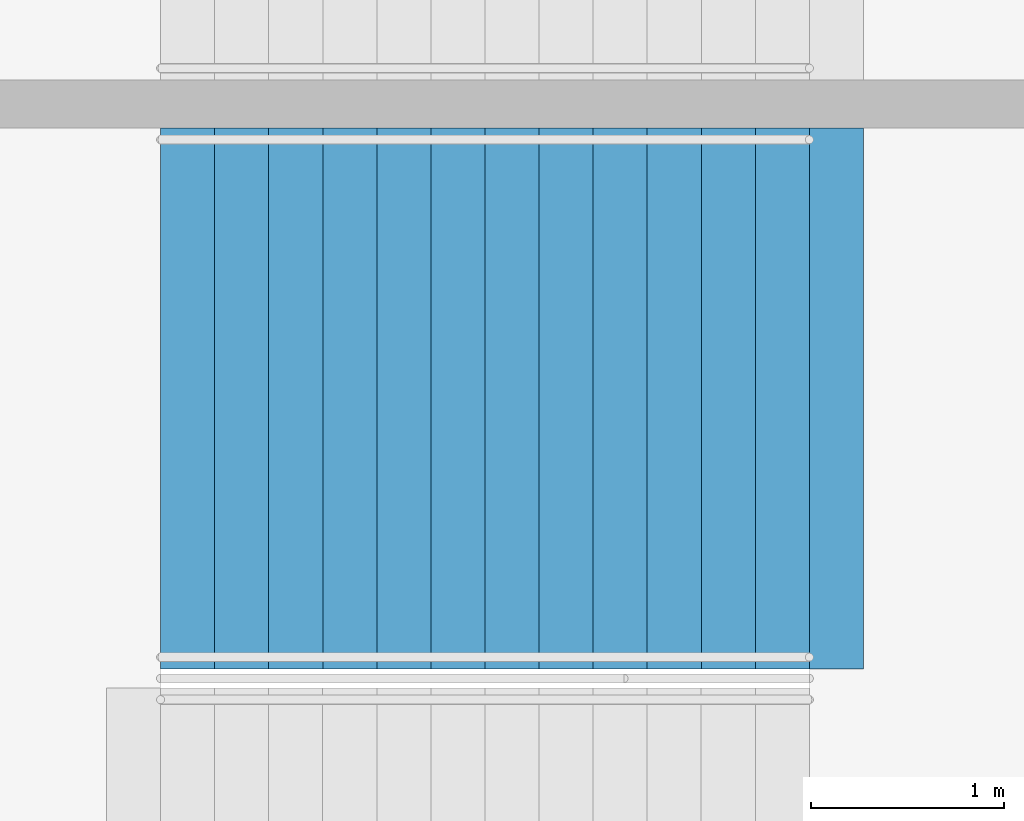
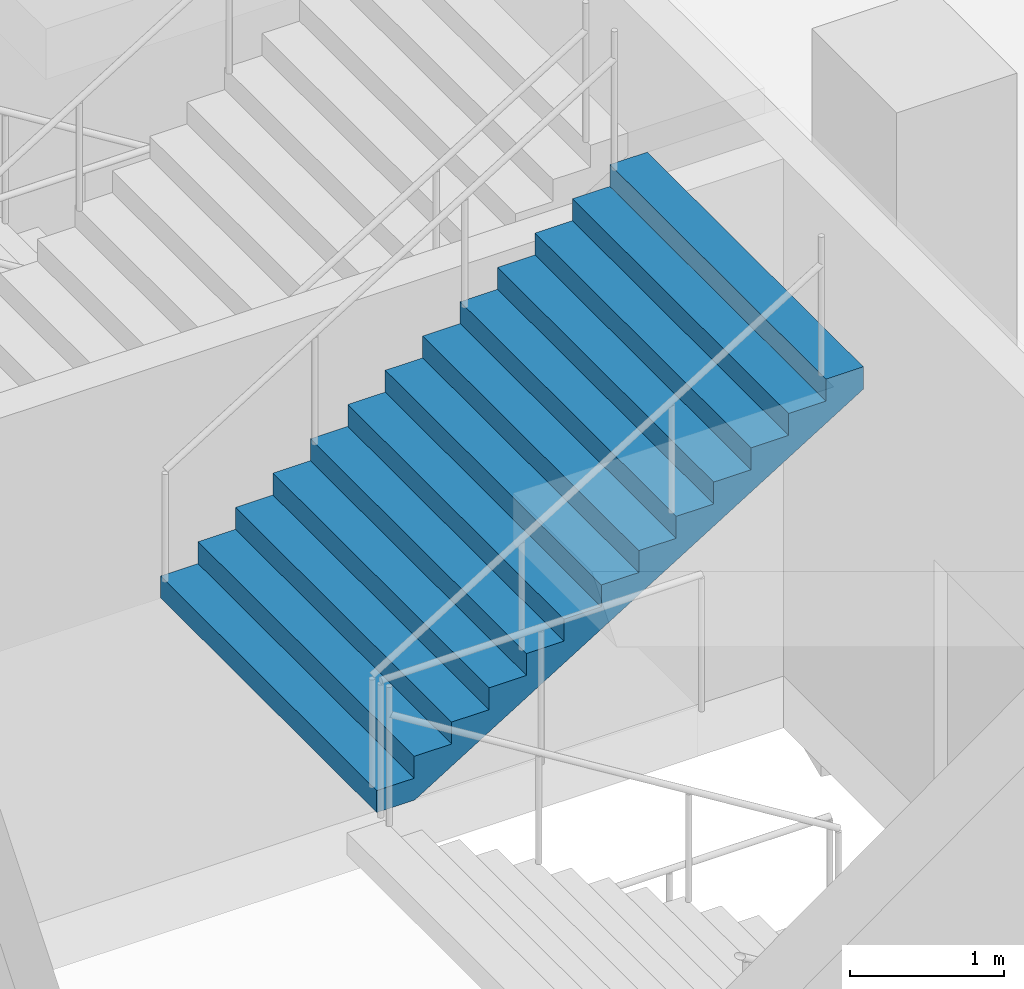
# One storey, part 155 of 199: 1 stair flight, 1 element without a shape of its own.
"""IFC4 building model written with IfcOpenShell, lengths in metres."""

from ifc_helpers import new_model, si_unit, direction, frame, origin, place, context, subcontext, project, spatial, faceted_brep, material, type_object, element, aggregate, save


model = new_model("IFC4")

# Units and contexts
model_context = context("Model", 3, precision=1e-05, world=origin(), true_north=direction((0.0, 1.0)))
body_context = subcontext(model_context, "Body", "Model", "MODEL_VIEW")
ifc_project = project(units=[si_unit("LENGTHUNIT", "METRE"), si_unit("AREAUNIT", "SQUARE_METRE"), si_unit("VOLUMEUNIT", "CUBIC_METRE"), si_unit("PLANEANGLEUNIT", "RADIAN"), si_unit("MASSUNIT", "GRAM", prefix="KILO")], contexts=[model_context])

# Site, building, storey
site_placement = place(None, origin())
site = spatial("IfcSite", under=ifc_project, at=site_placement, CompositionType="ELEMENT")
building_placement = place(site_placement, origin())
building = spatial("IfcBuilding", under=site, at=building_placement, Name="Ogive Plaza Stadium", CompositionType="ELEMENT")
storey_placement = place(building_placement, frame((0.0, 0.0, 4.5)))
storey = spatial("IfcBuildingStorey", under=building, at=storey_placement, Name="L01", CompositionType="ELEMENT", Elevation=4.5)

# Stair, stair flight
ifc_material_1 = material(Name="Concrete C40/50", Category="concrete")
stair_type = type_object("IfcStairType", Name="Exit stair", PredefinedType="STRAIGHT_RUN_STAIR", material=ifc_material_1)
stair_placement = place(storey_placement, origin())
stair = element("IfcStair", 1, at=stair_placement, inside=storey, type_object=stair_type, Name="Exit stair ST28B L01 to L02", PredefinedType="STRAIGHT_RUN_STAIR")
ifc_material_2 = material(Name="Concrete C40/50", Category="concrete")
stair_flight_type = type_object("IfcStairFlightType", Name="Exit stair flight", PredefinedType="STRAIGHT", material=ifc_material_2)
stair_flight_placement = place(storey_placement, frame((-79.7099609375, 50.97509765625, 2.25), z_axis=(0.0, 0.0, 1.0), x_axis=(1.0, 0.0, 0.0)))
stair_flight = element("IfcStairFlight", 2, at=stair_flight_placement, type_object=stair_flight_type, Name="ST28B flight 2", NumberOfRisers=13, NumberOfTreads=12, PredefinedType="STRAIGHT", RiserHeight=0.173076923, TreadLength=0.28, context=body_context, shape_type="Brep", body=[
    faceted_brep([(0.28515625, -1.39990234375, 0.0), (3.639892578125, -1.39990234375, 2.07373046875), (3.639892578125, -1.39990234375, 2.25), (3.360107421875, -1.39990234375, 2.25), (3.360107421875, -1.39990234375, 2.076904296875), (3.080078125, -1.39990234375, 2.076904296875), (3.080078125, -1.39990234375, 1.90380859375), (2.800048828125, -1.39990234375, 1.90380859375), (2.800048828125, -1.39990234375, 1.730712890625), (2.52001953125, -1.39990234375, 1.730712890625), (2.52001953125, -1.39990234375, 1.5576171875), (2.239990234375, -1.39990234375, 1.5576171875), (2.239990234375, -1.39990234375, 1.384521484375), (1.9599609375, -1.39990234375, 1.384521484375), (1.9599609375, -1.39990234375, 1.21142578125), (1.679931640625, -1.39990234375, 1.21142578125), (1.679931640625, -1.39990234375, 1.03857421875), (1.39990234375, -1.39990234375, 1.03857421875), (1.39990234375, -1.39990234375, 0.865478515625), (1.1201171875, -1.39990234375, 0.865478515625), (1.1201171875, -1.39990234375, 0.6923828125), (0.840087890625, -1.39990234375, 0.6923828125), (0.840087890625, -1.39990234375, 0.519287109375), (0.56005859375, -1.39990234375, 0.519287109375), (0.56005859375, -1.39990234375, 0.34619140625), (0.280029296875, -1.39990234375, 0.34619140625), (0.280029296875, -1.39990234375, 0.173095703125), (0.0, -1.39990234375, 0.173095703125), (0.0, -1.39990234375, 0.0), (0.0, 1.39990234375, 0.0), (0.0, 1.39990234375, 0.173095703125), (0.280029296875, 1.39990234375, 0.173095703125), (0.280029296875, 1.39990234375, 0.34619140625), (0.56005859375, 1.39990234375, 0.34619140625), (0.56005859375, 1.39990234375, 0.519287109375), (0.840087890625, 1.39990234375, 0.519287109375), (0.840087890625, 1.39990234375, 0.6923828125), (1.1201171875, 1.39990234375, 0.6923828125), (1.1201171875, 1.39990234375, 0.865478515625), (1.39990234375, 1.39990234375, 0.865478515625), (1.39990234375, 1.39990234375, 1.03857421875), (1.679931640625, 1.39990234375, 1.03857421875), (1.679931640625, 1.39990234375, 1.21142578125), (1.9599609375, 1.39990234375, 1.21142578125), (1.9599609375, 1.39990234375, 1.384521484375), (2.239990234375, 1.39990234375, 1.384521484375), (2.239990234375, 1.39990234375, 1.5576171875), (2.52001953125, 1.39990234375, 1.5576171875), (2.52001953125, 1.39990234375, 1.730712890625), (2.800048828125, 1.39990234375, 1.730712890625), (2.800048828125, 1.39990234375, 1.90380859375), (3.080078125, 1.39990234375, 1.90380859375), (3.080078125, 1.39990234375, 2.076904296875), (3.360107421875, 1.39990234375, 2.076904296875), (3.360107421875, 1.39990234375, 2.25), (3.639892578125, 1.39990234375, 2.25), (3.639892578125, 1.39990234375, 2.07373046875), (0.28515625, 1.39990234375, 0.0), (0.28515625, -1.0888671875, 0.0), (3.639892578125, -1.0888671875, 2.07373046875), (0.28515625, -0.77783203125, 0.0), (3.639892578125, -0.77783203125, 2.07373046875), (0.28515625, -0.466796875, 0.0), (3.639892578125, -0.466796875, 2.07373046875), (0.28515625, -0.155517578125, 0.0), (3.639892578125, -0.155517578125, 2.07373046875), (0.28515625, 0.155517578125, 0.0), (3.639892578125, 0.155517578125, 2.07373046875), (0.28515625, 0.466796875, 0.0), (3.639892578125, 0.466796875, 2.07373046875), (0.28515625, 0.77783203125, 0.0), (3.639892578125, 0.77783203125, 2.07373046875), (0.28515625, 1.0888671875, 0.0), (3.639892578125, 1.0888671875, 2.07373046875), (3.639892578125, -1.0888671875, 2.25), (3.639892578125, -0.77783203125, 2.25), (3.639892578125, -0.466796875, 2.25), (3.639892578125, -0.155517578125, 2.25), (3.639892578125, 0.155517578125, 2.25), (3.639892578125, 0.466796875, 2.25), (3.639892578125, 0.77783203125, 2.25), (3.639892578125, 1.0888671875, 2.25), (3.360107421875, -1.0888671875, 2.25), (3.360107421875, -0.77783203125, 2.25), (3.360107421875, -0.466796875, 2.25), (3.360107421875, -0.155517578125, 2.25), (3.360107421875, 0.155517578125, 2.25), (3.360107421875, 0.466796875, 2.25), (3.360107421875, 0.77783203125, 2.25), (3.360107421875, 1.0888671875, 2.25), (3.360107421875, -1.0888671875, 2.076904296875), (3.360107421875, -0.77783203125, 2.076904296875), (3.360107421875, -0.466796875, 2.076904296875), (3.360107421875, -0.155517578125, 2.076904296875), (3.360107421875, 0.155517578125, 2.076904296875), (3.360107421875, 0.466796875, 2.076904296875), (3.360107421875, 0.77783203125, 2.076904296875), (3.360107421875, 1.0888671875, 2.076904296875), (3.080078125, -1.0888671875, 2.076904296875), (3.080078125, -0.77783203125, 2.076904296875), (3.080078125, -0.466796875, 2.076904296875), (3.080078125, -0.155517578125, 2.076904296875), (3.080078125, 0.155517578125, 2.076904296875), (3.080078125, 0.466796875, 2.076904296875), (3.080078125, 0.77783203125, 2.076904296875), (3.080078125, 1.0888671875, 2.076904296875), (3.080078125, -1.0888671875, 1.90380859375), (3.080078125, -0.77783203125, 1.90380859375), (3.080078125, -0.466796875, 1.90380859375), (3.080078125, -0.155517578125, 1.90380859375), (3.080078125, 0.155517578125, 1.90380859375), (3.080078125, 0.466796875, 1.90380859375), (3.080078125, 0.77783203125, 1.90380859375), (3.080078125, 1.0888671875, 1.90380859375), (2.800048828125, -1.0888671875, 1.90380859375), (2.800048828125, -0.77783203125, 1.90380859375), (2.800048828125, -0.466796875, 1.90380859375), (2.800048828125, -0.155517578125, 1.90380859375), (2.800048828125, 0.155517578125, 1.90380859375), (2.800048828125, 0.466796875, 1.90380859375), (2.800048828125, 0.77783203125, 1.90380859375), (2.800048828125, 1.0888671875, 1.90380859375), (2.800048828125, -1.0888671875, 1.730712890625), (2.800048828125, -0.77783203125, 1.730712890625), (2.800048828125, -0.466796875, 1.730712890625), (2.800048828125, -0.155517578125, 1.730712890625), (2.800048828125, 0.155517578125, 1.730712890625), (2.800048828125, 0.466796875, 1.730712890625), (2.800048828125, 0.77783203125, 1.730712890625), (2.800048828125, 1.0888671875, 1.730712890625), (2.52001953125, -1.0888671875, 1.730712890625), (2.52001953125, -0.77783203125, 1.730712890625), (2.52001953125, -0.466796875, 1.730712890625), (2.52001953125, -0.155517578125, 1.730712890625), (2.52001953125, 0.155517578125, 1.730712890625), (2.52001953125, 0.466796875, 1.730712890625), (2.52001953125, 0.77783203125, 1.730712890625), (2.52001953125, 1.0888671875, 1.730712890625), (2.52001953125, -1.0888671875, 1.5576171875), (2.52001953125, -0.77783203125, 1.5576171875), (2.52001953125, -0.466796875, 1.5576171875), (2.52001953125, -0.155517578125, 1.5576171875), (2.52001953125, 0.155517578125, 1.5576171875), (2.52001953125, 0.466796875, 1.5576171875), (2.52001953125, 0.77783203125, 1.5576171875), (2.52001953125, 1.0888671875, 1.5576171875), (2.239990234375, -1.0888671875, 1.5576171875), (2.239990234375, -0.77783203125, 1.5576171875), (2.239990234375, -0.466796875, 1.5576171875), (2.239990234375, -0.155517578125, 1.5576171875), (2.239990234375, 0.155517578125, 1.5576171875), (2.239990234375, 0.466796875, 1.5576171875), (2.239990234375, 0.77783203125, 1.5576171875), (2.239990234375, 1.0888671875, 1.5576171875), (2.239990234375, -1.0888671875, 1.384521484375), (2.239990234375, -0.77783203125, 1.384521484375), (2.239990234375, -0.466796875, 1.384521484375), (2.239990234375, -0.155517578125, 1.384521484375), (2.239990234375, 0.155517578125, 1.384521484375), (2.239990234375, 0.466796875, 1.384521484375), (2.239990234375, 0.77783203125, 1.384521484375), (2.239990234375, 1.0888671875, 1.384521484375), (1.9599609375, -1.0888671875, 1.384521484375), (1.9599609375, -0.77783203125, 1.384521484375), (1.9599609375, -0.466796875, 1.384521484375), (1.9599609375, -0.155517578125, 1.384521484375), (1.9599609375, 0.155517578125, 1.384521484375), (1.9599609375, 0.466796875, 1.384521484375), (1.9599609375, 0.77783203125, 1.384521484375), (1.9599609375, 1.0888671875, 1.384521484375), (1.9599609375, -1.0888671875, 1.21142578125), (1.9599609375, -0.77783203125, 1.21142578125), (1.9599609375, -0.466796875, 1.21142578125), (1.9599609375, -0.155517578125, 1.21142578125), (1.9599609375, 0.155517578125, 1.21142578125), (1.9599609375, 0.466796875, 1.21142578125), (1.9599609375, 0.77783203125, 1.21142578125), (1.9599609375, 1.0888671875, 1.21142578125), (1.679931640625, -1.0888671875, 1.21142578125), (1.679931640625, -0.77783203125, 1.21142578125), (1.679931640625, -0.466796875, 1.21142578125), (1.679931640625, -0.155517578125, 1.21142578125), (1.679931640625, 0.155517578125, 1.21142578125), (1.679931640625, 0.466796875, 1.21142578125), (1.679931640625, 0.77783203125, 1.21142578125), (1.679931640625, 1.0888671875, 1.21142578125), (1.679931640625, -1.0888671875, 1.03857421875), (1.679931640625, -0.77783203125, 1.03857421875), (1.679931640625, -0.466796875, 1.03857421875), (1.679931640625, -0.155517578125, 1.03857421875), (1.679931640625, 0.155517578125, 1.03857421875), (1.679931640625, 0.466796875, 1.03857421875), (1.679931640625, 0.77783203125, 1.03857421875), (1.679931640625, 1.0888671875, 1.03857421875), (1.39990234375, -1.0888671875, 1.03857421875), (1.39990234375, -0.77783203125, 1.03857421875), (1.39990234375, -0.466796875, 1.03857421875), (1.39990234375, -0.155517578125, 1.03857421875), (1.39990234375, 0.155517578125, 1.03857421875), (1.39990234375, 0.466796875, 1.03857421875), (1.39990234375, 0.77783203125, 1.03857421875), (1.39990234375, 1.0888671875, 1.03857421875), (1.39990234375, -1.0888671875, 0.865478515625), (1.39990234375, -0.77783203125, 0.865478515625), (1.39990234375, -0.466796875, 0.865478515625), (1.39990234375, -0.155517578125, 0.865478515625), (1.39990234375, 0.155517578125, 0.865478515625), (1.39990234375, 0.466796875, 0.865478515625), (1.39990234375, 0.77783203125, 0.865478515625), (1.39990234375, 1.0888671875, 0.865478515625), (1.1201171875, -1.0888671875, 0.865478515625), (1.1201171875, -0.77783203125, 0.865478515625), (1.1201171875, -0.466796875, 0.865478515625), (1.1201171875, -0.155517578125, 0.865478515625), (1.1201171875, 0.155517578125, 0.865478515625), (1.1201171875, 0.466796875, 0.865478515625), (1.1201171875, 0.77783203125, 0.865478515625), (1.1201171875, 1.0888671875, 0.865478515625), (1.1201171875, -1.0888671875, 0.6923828125), (1.1201171875, -0.77783203125, 0.6923828125), (1.1201171875, -0.466796875, 0.6923828125), (1.1201171875, -0.155517578125, 0.6923828125), (1.1201171875, 0.155517578125, 0.6923828125), (1.1201171875, 0.466796875, 0.6923828125), (1.1201171875, 0.77783203125, 0.6923828125), (1.1201171875, 1.0888671875, 0.6923828125), (0.840087890625, -1.0888671875, 0.6923828125), (0.840087890625, -0.77783203125, 0.6923828125), (0.840087890625, -0.466796875, 0.6923828125), (0.840087890625, -0.155517578125, 0.6923828125), (0.840087890625, 0.155517578125, 0.6923828125), (0.840087890625, 0.466796875, 0.6923828125), (0.840087890625, 0.77783203125, 0.6923828125), (0.840087890625, 1.0888671875, 0.6923828125), (0.840087890625, -1.0888671875, 0.519287109375), (0.840087890625, -0.77783203125, 0.519287109375), (0.840087890625, -0.466796875, 0.519287109375), (0.840087890625, -0.155517578125, 0.519287109375), (0.840087890625, 0.155517578125, 0.519287109375), (0.840087890625, 0.466796875, 0.519287109375), (0.840087890625, 0.77783203125, 0.519287109375), (0.840087890625, 1.0888671875, 0.519287109375), (0.56005859375, -1.0888671875, 0.519287109375), (0.56005859375, -0.77783203125, 0.519287109375), (0.56005859375, -0.466796875, 0.519287109375), (0.56005859375, -0.155517578125, 0.519287109375), (0.56005859375, 0.155517578125, 0.519287109375), (0.56005859375, 0.466796875, 0.519287109375), (0.56005859375, 0.77783203125, 0.519287109375), (0.56005859375, 1.0888671875, 0.519287109375), (0.56005859375, -1.0888671875, 0.34619140625), (0.56005859375, -0.77783203125, 0.34619140625), (0.56005859375, -0.466796875, 0.34619140625), (0.56005859375, -0.155517578125, 0.34619140625), (0.56005859375, 0.155517578125, 0.34619140625), (0.56005859375, 0.466796875, 0.34619140625), (0.56005859375, 0.77783203125, 0.34619140625), (0.56005859375, 1.0888671875, 0.34619140625), (0.280029296875, -1.0888671875, 0.34619140625), (0.280029296875, -0.77783203125, 0.34619140625), (0.280029296875, -0.466796875, 0.34619140625), (0.280029296875, -0.155517578125, 0.34619140625), (0.280029296875, 0.155517578125, 0.34619140625), (0.280029296875, 0.466796875, 0.34619140625), (0.280029296875, 0.77783203125, 0.34619140625), (0.280029296875, 1.0888671875, 0.34619140625), (0.280029296875, -1.0888671875, 0.173095703125), (0.280029296875, -0.77783203125, 0.173095703125), (0.280029296875, -0.466796875, 0.173095703125), (0.280029296875, -0.155517578125, 0.173095703125), (0.280029296875, 0.155517578125, 0.173095703125), (0.280029296875, 0.466796875, 0.173095703125), (0.280029296875, 0.77783203125, 0.173095703125), (0.280029296875, 1.0888671875, 0.173095703125), (0.0, -1.0888671875, 0.173095703125), (0.0, -0.77783203125, 0.173095703125), (0.0, -0.466796875, 0.173095703125), (0.0, -0.155517578125, 0.173095703125), (0.0, 0.155517578125, 0.173095703125), (0.0, 0.466796875, 0.173095703125), (0.0, 0.77783203125, 0.173095703125), (0.0, 1.0888671875, 0.173095703125), (0.0, -1.0888671875, 0.0), (0.0, -0.77783203125, 0.0), (0.0, -0.466796875, 0.0), (0.0, -0.155517578125, 0.0), (0.0, 0.155517578125, 0.0), (0.0, 0.466796875, 0.0), (0.0, 0.77783203125, 0.0), (0.0, 1.0888671875, 0.0)], [[[0, 1, 2, 3, 4, 5, 6, 7, 8, 9, 10, 11, 12, 13, 14, 15, 16, 17, 18, 19, 20, 21, 22, 23, 24, 25, 26, 27, 28]], [[29, 30, 31, 32, 33, 34, 35, 36, 37, 38, 39, 40, 41, 42, 43, 44, 45, 46, 47, 48, 49, 50, 51, 52, 53, 54, 55, 56, 57]], [[0, 58, 59, 1]], [[58, 60, 61, 59]], [[60, 62, 63, 61]], [[62, 64, 65, 63]], [[64, 66, 67, 65]], [[66, 68, 69, 67]], [[68, 70, 71, 69]], [[70, 72, 73, 71]], [[72, 57, 56, 73]], [[1, 59, 74, 2]], [[59, 61, 75, 74]], [[61, 63, 76, 75]], [[63, 65, 77, 76]], [[65, 67, 78, 77]], [[67, 69, 79, 78]], [[69, 71, 80, 79]], [[71, 73, 81, 80]], [[73, 56, 55, 81]], [[2, 74, 82, 3]], [[74, 75, 83, 82]], [[75, 76, 84, 83]], [[76, 77, 85, 84]], [[77, 78, 86, 85]], [[78, 79, 87, 86]], [[79, 80, 88, 87]], [[80, 81, 89, 88]], [[81, 55, 54, 89]], [[3, 82, 90, 4]], [[82, 83, 91, 90]], [[83, 84, 92, 91]], [[84, 85, 93, 92]], [[85, 86, 94, 93]], [[86, 87, 95, 94]], [[87, 88, 96, 95]], [[88, 89, 97, 96]], [[89, 54, 53, 97]], [[4, 90, 98, 5]], [[90, 91, 99, 98]], [[91, 92, 100, 99]], [[92, 93, 101, 100]], [[93, 94, 102, 101]], [[94, 95, 103, 102]], [[95, 96, 104, 103]], [[96, 97, 105, 104]], [[97, 53, 52, 105]], [[5, 98, 106, 6]], [[98, 99, 107, 106]], [[99, 100, 108, 107]], [[100, 101, 109, 108]], [[101, 102, 110, 109]], [[102, 103, 111, 110]], [[103, 104, 112, 111]], [[104, 105, 113, 112]], [[105, 52, 51, 113]], [[6, 106, 114, 7]], [[106, 107, 115, 114]], [[107, 108, 116, 115]], [[108, 109, 117, 116]], [[109, 110, 118, 117]], [[110, 111, 119, 118]], [[111, 112, 120, 119]], [[112, 113, 121, 120]], [[113, 51, 50, 121]], [[7, 114, 122, 8]], [[114, 115, 123, 122]], [[115, 116, 124, 123]], [[116, 117, 125, 124]], [[117, 118, 126, 125]], [[118, 119, 127, 126]], [[119, 120, 128, 127]], [[120, 121, 129, 128]], [[121, 50, 49, 129]], [[8, 122, 130, 9]], [[122, 123, 131, 130]], [[123, 124, 132, 131]], [[124, 125, 133, 132]], [[125, 126, 134, 133]], [[126, 127, 135, 134]], [[127, 128, 136, 135]], [[128, 129, 137, 136]], [[129, 49, 48, 137]], [[9, 130, 138, 10]], [[130, 131, 139, 138]], [[131, 132, 140, 139]], [[132, 133, 141, 140]], [[133, 134, 142, 141]], [[134, 135, 143, 142]], [[135, 136, 144, 143]], [[136, 137, 145, 144]], [[137, 48, 47, 145]], [[10, 138, 146, 11]], [[138, 139, 147, 146]], [[139, 140, 148, 147]], [[140, 141, 149, 148]], [[141, 142, 150, 149]], [[142, 143, 151, 150]], [[143, 144, 152, 151]], [[144, 145, 153, 152]], [[145, 47, 46, 153]], [[11, 146, 154, 12]], [[146, 147, 155, 154]], [[147, 148, 156, 155]], [[148, 149, 157, 156]], [[149, 150, 158, 157]], [[150, 151, 159, 158]], [[151, 152, 160, 159]], [[152, 153, 161, 160]], [[153, 46, 45, 161]], [[12, 154, 162, 13]], [[154, 155, 163, 162]], [[155, 156, 164, 163]], [[156, 157, 165, 164]], [[157, 158, 166, 165]], [[158, 159, 167, 166]], [[159, 160, 168, 167]], [[160, 161, 169, 168]], [[161, 45, 44, 169]], [[13, 162, 170, 14]], [[162, 163, 171, 170]], [[163, 164, 172, 171]], [[164, 165, 173, 172]], [[165, 166, 174, 173]], [[166, 167, 175, 174]], [[167, 168, 176, 175]], [[168, 169, 177, 176]], [[169, 44, 43, 177]], [[14, 170, 178, 15]], [[170, 171, 179, 178]], [[171, 172, 180, 179]], [[172, 173, 181, 180]], [[173, 174, 182, 181]], [[174, 175, 183, 182]], [[175, 176, 184, 183]], [[176, 177, 185, 184]], [[177, 43, 42, 185]], [[15, 178, 186, 16]], [[178, 179, 187, 186]], [[179, 180, 188, 187]], [[180, 181, 189, 188]], [[181, 182, 190, 189]], [[182, 183, 191, 190]], [[183, 184, 192, 191]], [[184, 185, 193, 192]], [[185, 42, 41, 193]], [[16, 186, 194, 17]], [[186, 187, 195, 194]], [[187, 188, 196, 195]], [[188, 189, 197, 196]], [[189, 190, 198, 197]], [[190, 191, 199, 198]], [[191, 192, 200, 199]], [[192, 193, 201, 200]], [[193, 41, 40, 201]], [[17, 194, 202, 18]], [[194, 195, 203, 202]], [[195, 196, 204, 203]], [[196, 197, 205, 204]], [[197, 198, 206, 205]], [[198, 199, 207, 206]], [[199, 200, 208, 207]], [[200, 201, 209, 208]], [[201, 40, 39, 209]], [[18, 202, 210, 19]], [[202, 203, 211, 210]], [[203, 204, 212, 211]], [[204, 205, 213, 212]], [[205, 206, 214, 213]], [[206, 207, 215, 214]], [[207, 208, 216, 215]], [[208, 209, 217, 216]], [[209, 39, 38, 217]], [[19, 210, 218, 20]], [[210, 211, 219, 218]], [[211, 212, 220, 219]], [[212, 213, 221, 220]], [[213, 214, 222, 221]], [[214, 215, 223, 222]], [[215, 216, 224, 223]], [[216, 217, 225, 224]], [[217, 38, 37, 225]], [[20, 218, 226, 21]], [[218, 219, 227, 226]], [[219, 220, 228, 227]], [[220, 221, 229, 228]], [[221, 222, 230, 229]], [[222, 223, 231, 230]], [[223, 224, 232, 231]], [[224, 225, 233, 232]], [[225, 37, 36, 233]], [[21, 226, 234, 22]], [[226, 227, 235, 234]], [[227, 228, 236, 235]], [[228, 229, 237, 236]], [[229, 230, 238, 237]], [[230, 231, 239, 238]], [[231, 232, 240, 239]], [[232, 233, 241, 240]], [[233, 36, 35, 241]], [[22, 234, 242, 23]], [[234, 235, 243, 242]], [[235, 236, 244, 243]], [[236, 237, 245, 244]], [[237, 238, 246, 245]], [[238, 239, 247, 246]], [[239, 240, 248, 247]], [[240, 241, 249, 248]], [[241, 35, 34, 249]], [[23, 242, 250, 24]], [[242, 243, 251, 250]], [[243, 244, 252, 251]], [[244, 245, 253, 252]], [[245, 246, 254, 253]], [[246, 247, 255, 254]], [[247, 248, 256, 255]], [[248, 249, 257, 256]], [[249, 34, 33, 257]], [[24, 250, 258, 25]], [[250, 251, 259, 258]], [[251, 252, 260, 259]], [[252, 253, 261, 260]], [[253, 254, 262, 261]], [[254, 255, 263, 262]], [[255, 256, 264, 263]], [[256, 257, 265, 264]], [[257, 33, 32, 265]], [[25, 258, 266, 26]], [[258, 259, 267, 266]], [[259, 260, 268, 267]], [[260, 261, 269, 268]], [[261, 262, 270, 269]], [[262, 263, 271, 270]], [[263, 264, 272, 271]], [[264, 265, 273, 272]], [[265, 32, 31, 273]], [[26, 266, 274, 27]], [[266, 267, 275, 274]], [[267, 268, 276, 275]], [[268, 269, 277, 276]], [[269, 270, 278, 277]], [[270, 271, 279, 278]], [[271, 272, 280, 279]], [[272, 273, 281, 280]], [[273, 31, 30, 281]], [[27, 274, 282, 28]], [[274, 275, 283, 282]], [[275, 276, 284, 283]], [[276, 277, 285, 284]], [[277, 278, 286, 285]], [[278, 279, 287, 286]], [[279, 280, 288, 287]], [[280, 281, 289, 288]], [[281, 30, 29, 289]], [[28, 282, 58, 0]], [[282, 283, 60, 58]], [[283, 284, 62, 60]], [[284, 285, 64, 62]], [[285, 286, 66, 64]], [[286, 287, 68, 66]], [[287, 288, 70, 68]], [[288, 289, 72, 70]], [[289, 29, 57, 72]]]),
])
aggregate(stair, [stair_flight])

save(model, "model.ifc")
